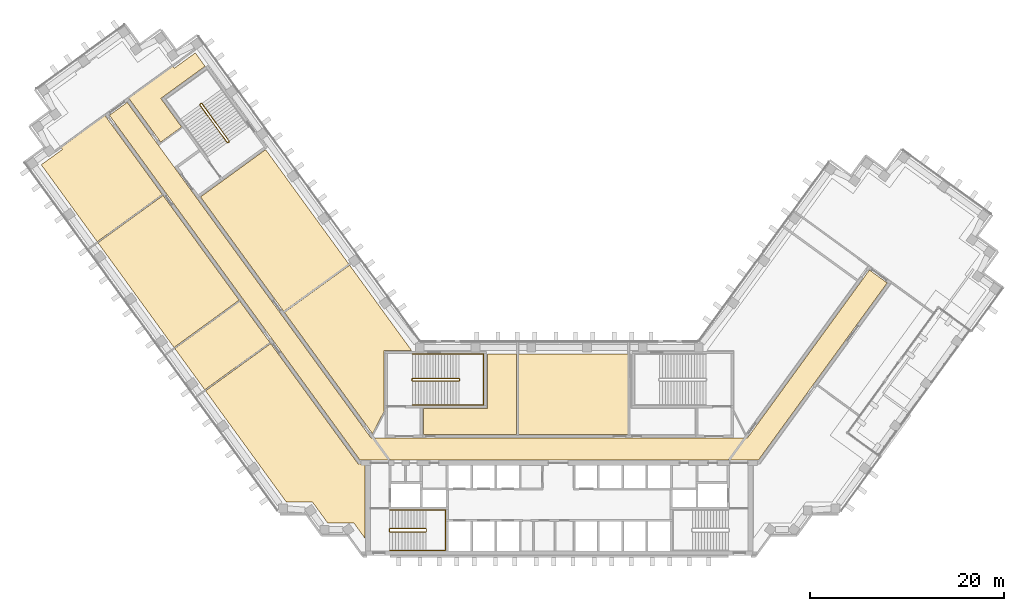
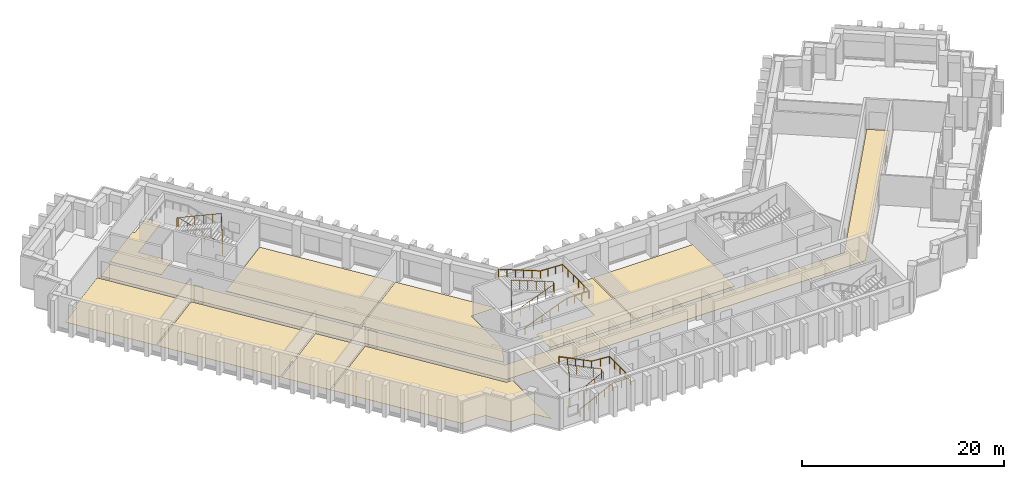
# One storey, part 13 of 15: 10 coverings, 5 railings.
"""IFC4 building model written with IfcOpenShell, lengths in metres."""

from ifc_helpers import new_model, si_unit, direction, frame, origin, origin_2d, place, context, subcontext, project, spatial, polyline, circle, outline, extrude, material, layer, layer_set, type_object, element, save


model = new_model("IFC4")

# Units and contexts
model_context = context("Model", 3, precision=1e-05, world=origin(), true_north=direction((0.0, 1.0)))
body_context = subcontext(model_context, "Body", "Model", "MODEL_VIEW")
ifc_project = project(units=[si_unit("LENGTHUNIT", "METRE"), si_unit("AREAUNIT", "SQUARE_METRE"), si_unit("VOLUMEUNIT", "CUBIC_METRE"), si_unit("PLANEANGLEUNIT", "RADIAN"), si_unit("MASSUNIT", "GRAM", prefix="KILO")], contexts=[model_context])

# Site, building, storey
site_placement = place(None, origin())
site = spatial("IfcSite", under=ifc_project, at=site_placement, CompositionType="ELEMENT")
building_placement = place(site_placement, origin())
building = spatial("IfcBuilding", under=site, at=building_placement, Name="Quipu Civic Tower", CompositionType="ELEMENT")
storey_placement = place(building_placement, frame((0.0, 0.0, 97.0)))
storey = spatial("IfcBuildingStorey", under=building, at=storey_placement, Name="L22", CompositionType="ELEMENT", Elevation=97.0)

# Coverings
ifc_material_1 = material(Name="Carpet tile on raised access floor")
ifc_layer_1 = layer(ifc_material_1, 0.02001953125)
ifc_layer_set_1 = layer_set([ifc_layer_1], Name="Carpet tile on raised access floor")
covering_type_1 = type_object("IfcCoveringType", Name="Carpet tile floor finish 20", PredefinedType="FLOORING", material=ifc_layer_set_1)
covering_1_placement = place(storey_placement, origin())
element("IfcCovering", 1, at=covering_1_placement, inside=storey, type_object=covering_type_1, Name="Carpet tile floor finish 20", PredefinedType="FLOORING", context=body_context, shape_type="SweptSolid", body=[
    extrude(outline(polyline([(-14.030029296875, 4.179931640625), (-7.430908203125, 4.179931640625), (-7.429931640625, 9.830078125), (-4.388916015625, 9.830078125), (-4.388916015625, 1.52001953125), (-14.030029296875, 1.52001953125), (-14.030029296875, 4.179931640625)])), origin(), (0.0, 0.0, 1.0), 0.02001953125),
])
covering_2_placement = place(storey_placement, origin())
element("IfcCovering", 2, at=covering_2_placement, inside=storey, type_object=covering_type_1, Name="Carpet tile floor finish 20", PredefinedType="FLOORING", context=body_context, shape_type="SweptSolid", body=[
    extrude(outline(polyline([(-44.445068359375, 36.23193359375), (-39.906005859375, 39.530029296875), (-39.757080078125, 39.327880859375), (-37.573974609375, 40.9130859375), (-36.570068359375, 39.530029296875), (-41.139892578125, 36.208984375), (-38.998046875, 33.260009765625), (-41.15087890625, 31.697021484375), (-44.445068359375, 36.23193359375)])), origin(), (0.0, 0.0, 1.0), 0.02001953125),
])
covering_3_placement = place(storey_placement, origin())
element("IfcCovering", 3, at=covering_3_placement, inside=storey, type_object=covering_type_1, Name="Carpet tile floor finish 20", PredefinedType="FLOORING", context=body_context, shape_type="SweptSolid", body=[
    extrude(outline(polyline([(-53.47998046875, 29.35791015625), (-51.298095703125, 30.943115234375), (-51.443115234375, 31.14599609375), (-46.904052734375, 34.444091796875), (-40.988037109375, 26.301025390625), (-47.7119140625, 21.41796875), (-53.47998046875, 29.35791015625)])), origin(), (0.0, 0.0, 1.0), 0.02001953125),
])
covering_4_placement = place(storey_placement, origin())
element("IfcCovering", 4, at=covering_4_placement, inside=storey, type_object=covering_type_1, Name="Carpet tile floor finish 20", PredefinedType="FLOORING", context=body_context, shape_type="SweptSolid", body=[
    extrude(outline(polyline([(-39.694091796875, 10.383056640625), (-32.969970703125, 15.26708984375), (-29.87890625, 11.010986328125), (-36.60302734375, 6.126953125), (-39.694091796875, 10.383056640625)])), origin(), (0.0, 0.0, 1.0), 0.02001953125),
])
covering_5_placement = place(storey_placement, origin())
element("IfcCovering", 5, at=covering_5_placement, inside=storey, type_object=covering_type_1, Name="Carpet tile floor finish 20", PredefinedType="FLOORING", context=body_context, shape_type="SweptSolid", body=[
    extrude(outline(polyline([(-47.62890625, 21.304931640625), (-40.905029296875, 26.18798828125), (-33.052978515625, 15.3798828125), (-39.777099609375, 10.49609375), (-47.62890625, 21.304931640625)])), origin(), (0.0, 0.0, 1.0), 0.02001953125),
])
covering_6_placement = place(storey_placement, origin())
element("IfcCovering", 6, at=covering_6_placement, inside=storey, type_object=covering_type_1, Name="Carpet tile floor finish 20", PredefinedType="FLOORING", context=body_context, shape_type="SweptSolid", body=[
    extrude(outline(polyline([(-36.52001953125, 6.013916015625), (-29.7958984375, 10.89794921875), (-20.77490234375, -1.51904296875), (-20.070068359375, -1.52001953125), (-20.070068359375, -9.195068359375), (-21.196044921875, -7.64599609375), (-21.6630859375, -7.64599609375), (-21.666015625, -7.64404296875), (-21.669921875, -7.64111328125), (-21.675048828125, -7.639892578125), (-21.679931640625, -7.637939453125), (-21.68408203125, -7.636962890625), (-21.68896484375, -7.636962890625), (-21.694091796875, -7.635986328125), (-21.698974609375, -7.636962890625), (-21.7041015625, -7.637939453125), (-21.708984375, -7.638916015625), (-21.712890625, -7.64111328125), (-21.718017578125, -7.64306640625), (-21.721923828125, -7.64599609375), (-21.721923828125, -7.64599609375), (-23.89501953125, -7.64599609375), (-25.48193359375, -5.4619140625), (-28.181884765625, -5.4609375), (-36.52001953125, 6.013916015625)])), origin(), (0.0, 0.0, 1.0), 0.02001953125),
])
covering_7_placement = place(storey_placement, origin())
element("IfcCovering", 7, at=covering_7_placement, inside=storey, type_object=covering_type_1, Name="Carpet tile floor finish 20", PredefinedType="FLOORING", context=body_context, shape_type="SweptSolid", body=[
    extrude(outline(polyline([(-28.37109375, 14.10888671875), (-21.64794921875, 18.992919921875), (-15.238037109375, 10.169921875), (-18.070068359375, 10.1689453125), (-18.070068359375, 3.94189453125), (-19.27197265625, 1.583984375), (-28.37109375, 14.10888671875)])), origin(), (0.0, 0.0, 1.0), 0.02001953125),
])
ifc_material_2 = material(Name="Sealed cement screed")
ifc_layer_2 = layer(ifc_material_2, 0.050048828125)
ifc_layer_set_2 = layer_set([ifc_layer_2], Name="Sealed cement screed")
covering_type_2 = type_object("IfcCoveringType", Name="Sealed screed floor finish 50", PredefinedType="FLOORING", material=ifc_layer_set_2)
covering_8_placement = place(storey_placement, origin())
element("IfcCovering", 8, at=covering_8_placement, inside=storey, type_object=covering_type_2, Name="Sealed screed floor finish 50", PredefinedType="FLOORING", context=body_context, shape_type="SweptSolid", body=[
    extrude(outline(polyline([(-4.2490234375, 1.52001953125), (-4.2490234375, 9.830078125), (7.1279296875, 9.830078125), (7.1279296875, 1.52001953125), (-4.2490234375, 1.52001953125)])), origin(), (0.0, 0.0, 1.0), 0.050048828125),
])
covering_9_placement = place(storey_placement, origin())
element("IfcCovering", 9, at=covering_9_placement, inside=storey, type_object=covering_type_2, Name="Sealed screed floor finish 50", PredefinedType="FLOORING", context=body_context, shape_type="SweptSolid", body=[
    extrude(outline(polyline([(-37.0380859375, 26.0380859375), (-30.31494140625, 30.922119140625), (-21.73095703125, 19.10595703125), (-28.4541015625, 14.221923828125), (-37.0380859375, 26.0380859375)])), origin(), (0.0, 0.0, 1.0), 0.050048828125),
])

# Railings
ifc_material_3 = material(Name="Stainless steel", Category="steel")
railing_type_1 = type_object("IfcRailingType", Name="Stair guard 1100", PredefinedType="GUARDRAIL", material=ifc_material_3)
railing_1_placement = place(storey_placement, frame((-17.5, -8.550048828125, 0.15380859375)))
element("IfcRailing", 10, at=railing_1_placement, inside=storey, type_object=railing_type_1, Name="Stair 1 guard", PredefinedType="GUARDRAIL", context=body_context, shape_type="SweptSolid", body=[
    extrude(circle(Radius=0.02392578125, at=origin_2d()), frame((0.0, 0.0, 1.076171875), z_axis=(0.895751851347, 0.0, 0.444554407028), x_axis=(0.0, 1.0, 0.0)), (0.0, 0.0, 1.0), 4.15283203125),
    extrude(circle(Radius=0.02392578125, at=origin_2d()), frame((3.719970703125, 0.0, 2.92236328125), z_axis=(0.707106781187, 0.707106781187, 0.0), x_axis=(-0.707106781187, 0.707106781187, 0.0)), (0.0, 0.0, 1.0), 0.07080078125),
    extrude(circle(Radius=0.02392578125, at=origin_2d()), frame((3.77001953125, 0.050048828125, 2.92236328125), z_axis=(0.0, 1.0, 0.0), x_axis=(-1.0, 0.0, 0.0)), (0.0, 0.0, 1.0), 0.25),
    extrude(circle(Radius=0.02392578125, at=origin_2d()), frame((3.77001953125, 0.300048828125, 2.92236328125), z_axis=(-0.295599637079, 0.295599637079, 0.908428152975), x_axis=(-0.707106781187, -0.707106781187, 0.0)), (0.0, 0.0, 1.0), 0.16943359375),
    extrude(circle(Radius=0.02392578125, at=origin_2d()), frame((3.719970703125, 0.35009765625, 3.076171875), z_axis=(-0.895751851347, 0.0, 0.444554407028), x_axis=(0.0, -1.0, 0.0)), (0.0, 0.0, 1.0), 4.15283203125),
    extrude(circle(Radius=0.02392578125, at=origin_2d()), frame((0.0, 0.35009765625, 4.92236328125), z_axis=(-0.012476181752, -0.074796231092, -0.997120789425), x_axis=(0.986372223864, -0.164529134168, 0.0)), (0.0, 0.0, 1.0), 4.011474609375),
    extrude(circle(Radius=0.02392578125, at=origin_2d()), frame((-0.050048828125, 0.050048828125, 0.92236328125), z_axis=(0.0, 1.0, 0.0), x_axis=(-1.0, 0.0, 0.0)), (0.0, 0.0, 1.0), 0.25),
    extrude(circle(Radius=0.02099609375, at=origin_2d()), origin(), (0.0, 0.0, 1.0), 1.052001953125),
    extrude(circle(Radius=0.02099609375, at=origin_2d()), frame((0.929931640625, 0.0, 0.46142578125)), (0.0, 0.0, 1.0), 1.052001953125),
    extrude(circle(Radius=0.02099609375, at=origin_2d()), frame((1.85986328125, 0.0, 0.923095703125)), (0.0, 0.0, 1.0), 1.052001953125),
    extrude(circle(Radius=0.02099609375, at=origin_2d()), frame((2.7900390625, 0.0, 1.384765625)), (0.0, 0.0, 1.0), 1.052001953125),
    extrude(circle(Radius=0.02099609375, at=origin_2d()), frame((3.719970703125, 0.0, 1.84619140625)), (0.0, 0.0, 1.0), 1.052001953125),
    extrude(circle(Radius=0.02099609375, at=origin_2d()), frame((3.77001953125, 0.050048828125, 1.84619140625)), (0.0, 0.0, 1.0), 1.052001953125),
    extrude(circle(Radius=0.02099609375, at=origin_2d()), frame((3.77001953125, 0.300048828125, 1.84619140625)), (0.0, 0.0, 1.0), 1.052001953125),
    extrude(circle(Radius=0.02099609375, at=origin_2d()), frame((3.719970703125, 0.35009765625, 2.0)), (0.0, 0.0, 1.0), 1.052001953125),
    extrude(circle(Radius=0.02099609375, at=origin_2d()), frame((2.7900390625, 0.35009765625, 2.46142578125)), (0.0, 0.0, 1.0), 1.052001953125),
    extrude(circle(Radius=0.02099609375, at=origin_2d()), frame((1.85986328125, 0.35009765625, 2.923095703125)), (0.0, 0.0, 1.0), 1.052001953125),
    extrude(circle(Radius=0.02099609375, at=origin_2d()), frame((0.929931640625, 0.35009765625, 3.384765625)), (0.0, 0.0, 1.0), 1.052001953125),
    extrude(circle(Radius=0.02099609375, at=origin_2d()), frame((0.0, 0.35009765625, 3.84619140625)), (0.0, 0.0, 1.0), 1.052001953125),
    extrude(circle(Radius=0.02099609375, at=origin_2d()), frame((-0.012451171875, 0.275146484375, 2.84619140625)), (0.0, 0.0, 1.0), 1.052001953125),
    extrude(circle(Radius=0.02099609375, at=origin_2d()), frame((-0.02490234375, 0.2001953125, 1.84619140625)), (0.0, 0.0, 1.0), 1.052001953125),
    extrude(circle(Radius=0.02099609375, at=origin_2d()), frame((-0.03759765625, 0.125, 0.84619140625)), (0.0, 0.0, 1.0), 1.052001953125),
    extrude(circle(Radius=0.02099609375, at=origin_2d()), frame((-0.050048828125, 0.050048828125, -0.15380859375)), (0.0, 0.0, 1.0), 1.052001953125),
    extrude(circle(Radius=0.02099609375, at=origin_2d()), frame((-0.050048828125, 0.300048828125, -0.15380859375)), (0.0, 0.0, 1.0), 1.052001953125),
])
railing_2_placement = place(storey_placement, frame((-15.14990234375, 7.050048828125, 0.11767578125)))
element("IfcRailing", 11, at=railing_2_placement, inside=storey, type_object=railing_type_1, Name="Stair 3 guard", PredefinedType="GUARDRAIL", context=body_context, shape_type="SweptSolid", body=[
    extrude(circle(Radius=0.02392578125, at=origin_2d()), frame((0.0, 0.0, 1.076171875), z_axis=(0.930970042603, 0.0, 0.365095576219), x_axis=(0.0, 1.0, 0.0)), (0.0, 0.0, 1.0), 5.15576171875),
    extrude(circle(Radius=0.02392578125, at=origin_2d()), frame((4.7998046875, 0.0, 2.95849609375), z_axis=(0.707106781187, 0.707106781187, 0.0), x_axis=(-0.707106781187, 0.707106781187, 0.0)), (0.0, 0.0, 1.0), 0.07080078125),
    extrude(circle(Radius=0.02392578125, at=origin_2d()), frame((4.849853515625, 0.050048828125, 2.95849609375), z_axis=(0.0, 1.0, 0.0), x_axis=(-1.0, 0.0, 0.0)), (0.0, 0.0, 1.0), 0.14990234375),
    extrude(circle(Radius=0.02392578125, at=origin_2d()), frame((4.849853515625, 0.199951171875, 2.95849609375), z_axis=(-0.364463019033, 0.364463019033, 0.856932561824), x_axis=(-0.707106781187, -0.707106781187, 0.0)), (0.0, 0.0, 1.0), 0.13720703125),
    extrude(circle(Radius=0.02392578125, at=origin_2d()), frame((4.7998046875, 0.25, 3.076171875), z_axis=(-0.930970042603, 0.0, 0.365095576219), x_axis=(0.0, -1.0, 0.0)), (0.0, 0.0, 1.0), 5.15576171875),
    extrude(circle(Radius=0.02392578125, at=origin_2d()), frame((0.0, 0.25, 4.95849609375), z_axis=(-0.012495627992, -0.049921557685, -0.998674970829), x_axis=(0.970072785993, -0.242814311512, 0.0)), (0.0, 0.0, 1.0), 4.00537109375),
    extrude(circle(Radius=0.02392578125, at=origin_2d()), frame((-0.050048828125, 0.050048828125, 0.95849609375), z_axis=(0.0, 1.0, 0.0), x_axis=(-1.0, 0.0, 0.0)), (0.0, 0.0, 1.0), 0.14990234375),
    extrude(circle(Radius=0.02099609375, at=origin_2d()), origin(), (0.0, 0.0, 1.0), 1.052001953125),
    extrude(circle(Radius=0.02099609375, at=origin_2d()), frame((0.9599609375, 0.0, 0.37646484375)), (0.0, 0.0, 1.0), 1.052001953125),
    extrude(circle(Radius=0.02099609375, at=origin_2d()), frame((1.919921875, 0.0, 0.7529296875)), (0.0, 0.0, 1.0), 1.052001953125),
    extrude(circle(Radius=0.02099609375, at=origin_2d()), frame((2.8798828125, 0.0, 1.12939453125)), (0.0, 0.0, 1.0), 1.052001953125),
    extrude(circle(Radius=0.02099609375, at=origin_2d()), frame((3.83984375, 0.0, 1.505859375)), (0.0, 0.0, 1.0), 1.052001953125),
    extrude(circle(Radius=0.02099609375, at=origin_2d()), frame((4.7998046875, 0.0, 1.88232421875)), (0.0, 0.0, 1.0), 1.052001953125),
    extrude(circle(Radius=0.02099609375, at=origin_2d()), frame((4.849853515625, 0.050048828125, 1.88232421875)), (0.0, 0.0, 1.0), 1.052001953125),
    extrude(circle(Radius=0.02099609375, at=origin_2d()), frame((4.849853515625, 0.199951171875, 1.88232421875)), (0.0, 0.0, 1.0), 1.052001953125),
    extrude(circle(Radius=0.02099609375, at=origin_2d()), frame((4.7998046875, 0.25, 2.0)), (0.0, 0.0, 1.0), 1.052001953125),
    extrude(circle(Radius=0.02099609375, at=origin_2d()), frame((3.83984375, 0.25, 2.37646484375)), (0.0, 0.0, 1.0), 1.052001953125),
    extrude(circle(Radius=0.02099609375, at=origin_2d()), frame((2.8798828125, 0.25, 2.7529296875)), (0.0, 0.0, 1.0), 1.052001953125),
    extrude(circle(Radius=0.02099609375, at=origin_2d()), frame((1.919921875, 0.25, 3.12939453125)), (0.0, 0.0, 1.0), 1.052001953125),
    extrude(circle(Radius=0.02099609375, at=origin_2d()), frame((0.9599609375, 0.25, 3.505859375)), (0.0, 0.0, 1.0), 1.052001953125),
    extrude(circle(Radius=0.02099609375, at=origin_2d()), frame((0.0, 0.25, 3.88232421875)), (0.0, 0.0, 1.0), 1.052001953125),
    extrude(circle(Radius=0.02099609375, at=origin_2d()), frame((-0.012451171875, 0.199951171875, 2.88232421875)), (0.0, 0.0, 1.0), 1.052001953125),
    extrude(circle(Radius=0.02099609375, at=origin_2d()), frame((-0.02490234375, 0.14990234375, 1.88232421875)), (0.0, 0.0, 1.0), 1.052001953125),
    extrude(circle(Radius=0.02099609375, at=origin_2d()), frame((-0.03759765625, 0.10009765625, 0.88232421875)), (0.0, 0.0, 1.0), 1.052001953125),
    extrude(circle(Radius=0.02099609375, at=origin_2d()), frame((-0.050048828125, 0.050048828125, -0.11767578125)), (0.0, 0.0, 1.0), 1.052001953125),
    extrude(circle(Radius=0.02099609375, at=origin_2d()), frame((-0.050048828125, 0.199951171875, -0.11767578125)), (0.0, 0.0, 1.0), 1.052001953125),
])
railing_3_placement = place(storey_placement, frame((-34.078857421875, 31.79736328125, 0.11767578125)))
element("IfcRailing", 12, at=railing_3_placement, inside=storey, type_object=railing_type_1, Name="Stair 6 guard", PredefinedType="GUARDRAIL", context=body_context, shape_type="SweptSolid", body=[
    extrude(circle(Radius=0.02392578125, at=origin_2d()), frame((0.0, 0.0, 1.076171875), z_axis=(-0.54720100349, 0.753182689643, 0.365084781664), x_axis=(-0.809026317077, -0.587772420479, 0.0)), (0.0, 0.0, 1.0), 5.15576171875),
    extrude(circle(Radius=0.02392578125, at=origin_2d()), frame((-2.8212890625, 3.88330078125, 2.95849609375), z_axis=(-0.987846838465, 0.155430446612, 0.0), x_axis=(-0.155430446612, -0.987846838465, 0.0)), (0.0, 0.0, 1.0), 0.07080078125),
    extrude(circle(Radius=0.02392578125, at=origin_2d()), frame((-2.89111328125, 3.894287109375, 2.95849609375), z_axis=(-0.809649071907, -0.586914287065, 0.0), x_axis=(0.586914287065, -0.809649071907, 0.0)), (0.0, 0.0, 1.0), 0.150146484375),
    extrude(circle(Radius=0.02392578125, at=origin_2d()), frame((-3.0126953125, 3.80615234375, 2.95849609375), z_axis=(-0.080033047627, -0.508654480474, 0.857242865693), x_axis=(0.987846838465, -0.155430446612, 0.0)), (0.0, 0.0, 1.0), 0.13720703125),
    extrude(circle(Radius=0.02392578125, at=origin_2d()), frame((-3.023681640625, 3.736328125, 3.076171875), z_axis=(0.54720100349, -0.753182689643, 0.365084781664), x_axis=(0.809026317077, 0.587772420479, 0.0)), (0.0, 0.0, 1.0), 5.15576171875),
    extrude(circle(Radius=0.02392578125, at=origin_2d()), frame((-0.202392578125, -0.14697265625, 4.95849609375), z_axis=(0.047788004556, 0.019261491632, -0.998671768681), x_axis=(-0.373837031195, 0.92749440651, 0.0)), (0.0, 0.0, 1.0), 4.00537109375),
    extrude(circle(Radius=0.02392578125, at=origin_2d()), frame((-0.010986328125, -0.06982421875, 0.95849609375), z_axis=(-0.809087927272, -0.587687609145, 0.0), x_axis=(0.587687609145, -0.809087927272, 0.0)), (0.0, 0.0, 1.0), 0.14990234375),
    extrude(circle(Radius=0.02099609375, at=origin_2d()), origin(), (0.0, 0.0, 1.0), 1.052001953125),
    extrude(circle(Radius=0.02099609375, at=origin_2d()), frame((-0.564208984375, 0.776611328125, 0.37646484375)), (0.0, 0.0, 1.0), 1.052001953125),
    extrude(circle(Radius=0.02099609375, at=origin_2d()), frame((-1.12841796875, 1.55322265625, 0.7529296875)), (0.0, 0.0, 1.0), 1.052001953125),
    extrude(circle(Radius=0.02099609375, at=origin_2d()), frame((-1.69287109375, 2.330078125, 1.12939453125)), (0.0, 0.0, 1.0), 1.052001953125),
    extrude(circle(Radius=0.02099609375, at=origin_2d()), frame((-2.257080078125, 3.106689453125, 1.505859375)), (0.0, 0.0, 1.0), 1.052001953125),
    extrude(circle(Radius=0.02099609375, at=origin_2d()), frame((-2.8212890625, 3.88330078125, 1.88232421875)), (0.0, 0.0, 1.0), 1.052001953125),
    extrude(circle(Radius=0.02099609375, at=origin_2d()), frame((-2.89111328125, 3.894287109375, 1.88232421875)), (0.0, 0.0, 1.0), 1.052001953125),
    extrude(circle(Radius=0.02099609375, at=origin_2d()), frame((-3.0126953125, 3.80615234375, 1.88232421875)), (0.0, 0.0, 1.0), 1.052001953125),
    extrude(circle(Radius=0.02099609375, at=origin_2d()), frame((-3.023681640625, 3.736328125, 2.0)), (0.0, 0.0, 1.0), 1.052001953125),
    extrude(circle(Radius=0.02099609375, at=origin_2d()), frame((-2.45947265625, 2.959716796875, 2.37646484375)), (0.0, 0.0, 1.0), 1.052001953125),
    extrude(circle(Radius=0.02099609375, at=origin_2d()), frame((-1.895263671875, 2.18310546875, 2.7529296875)), (0.0, 0.0, 1.0), 1.052001953125),
    extrude(circle(Radius=0.02099609375, at=origin_2d()), frame((-1.330810546875, 1.40625, 3.12939453125)), (0.0, 0.0, 1.0), 1.052001953125),
    extrude(circle(Radius=0.02099609375, at=origin_2d()), frame((-0.7666015625, 0.629638671875, 3.505859375)), (0.0, 0.0, 1.0), 1.052001953125),
    extrude(circle(Radius=0.02099609375, at=origin_2d()), frame((-0.202392578125, -0.14697265625, 3.88232421875)), (0.0, 0.0, 1.0), 1.052001953125),
    extrude(circle(Radius=0.02099609375, at=origin_2d()), frame((-0.154541015625, -0.127685546875, 2.88232421875)), (0.0, 0.0, 1.0), 1.052001953125),
    extrude(circle(Radius=0.02099609375, at=origin_2d()), frame((-0.106689453125, -0.1083984375, 1.88232421875)), (0.0, 0.0, 1.0), 1.052001953125),
    extrude(circle(Radius=0.02099609375, at=origin_2d()), frame((-0.058837890625, -0.089111328125, 0.88232421875)), (0.0, 0.0, 1.0), 1.052001953125),
    extrude(circle(Radius=0.02099609375, at=origin_2d()), frame((-0.010986328125, -0.06982421875, -0.11767578125)), (0.0, 0.0, 1.0), 1.052001953125),
    extrude(circle(Radius=0.02099609375, at=origin_2d()), frame((-0.13232421875, -0.157958984375, -0.11767578125)), (0.0, 0.0, 1.0), 1.052001953125),
])
ifc_material_4 = material(Name="Stainless steel", Category="steel")
railing_type_2 = type_object("IfcRailingType", Name="Stair handrail", PredefinedType="HANDRAIL", material=ifc_material_4)
railing_4_placement = place(storey_placement, frame((-17.5, -10.449951171875, 0.15380859375)))
element("IfcRailing", 13, at=railing_4_placement, inside=storey, type_object=railing_type_2, Name="Stair 1 handrail", PredefinedType="HANDRAIL", context=body_context, shape_type="SweptSolid", body=[
    extrude(circle(Radius=0.02392578125, at=origin_2d()), frame((0.0, 0.0, 0.8759765625), z_axis=(0.895751851347, 0.0, 0.444554407028), x_axis=(0.0, 1.0, 0.0)), (0.0, 0.0, 1.0), 4.15283203125),
    extrude(circle(Radius=0.02392578125, at=origin_2d()), frame((3.719970703125, 0.0, 2.72216796875), z_axis=(1.0, 0.0, 0.0), x_axis=(0.0, 1.0, 0.0)), (0.0, 0.0, 1.0), 2.030029296875),
    extrude(circle(Radius=0.02392578125, at=origin_2d()), frame((5.75, 0.0, 2.72216796875), z_axis=(0.0, 1.0, 0.0), x_axis=(-1.0, 0.0, 0.0)), (0.0, 0.0, 1.0), 4.14990234375),
    extrude(circle(Radius=0.02392578125, at=origin_2d()), frame((5.75, 4.14990234375, 2.72216796875), z_axis=(-0.997142003663, 0.0, 0.075550145798), x_axis=(0.0, -1.0, 0.0)), (0.0, 0.0, 1.0), 2.035888671875),
    extrude(circle(Radius=0.02392578125, at=origin_2d()), frame((3.719970703125, 4.14990234375, 2.8759765625), z_axis=(-0.895751851347, 0.0, 0.444554407028), x_axis=(0.0, -1.0, 0.0)), (0.0, 0.0, 1.0), 4.15283203125),
    extrude(circle(Radius=0.02099609375, at=origin_2d()), origin(), (0.0, 0.0, 1.0), 0.851806640625),
    extrude(circle(Radius=0.02099609375, at=origin_2d()), frame((0.929931640625, 0.0, 0.46142578125)), (0.0, 0.0, 1.0), 0.851806640625),
    extrude(circle(Radius=0.02099609375, at=origin_2d()), frame((1.85986328125, 0.0, 0.923095703125)), (0.0, 0.0, 1.0), 0.851806640625),
    extrude(circle(Radius=0.02099609375, at=origin_2d()), frame((2.7900390625, 0.0, 1.384765625)), (0.0, 0.0, 1.0), 0.851806640625),
    extrude(circle(Radius=0.02099609375, at=origin_2d()), frame((3.719970703125, 0.0, 1.84619140625)), (0.0, 0.0, 1.0), 0.851806640625),
    extrude(circle(Radius=0.02099609375, at=origin_2d()), frame((4.73486328125, 0.0, 1.84619140625)), (0.0, 0.0, 1.0), 0.851806640625),
    extrude(circle(Radius=0.02099609375, at=origin_2d()), frame((5.75, 0.0, 1.84619140625)), (0.0, 0.0, 1.0), 0.851806640625),
    extrude(circle(Radius=0.02099609375, at=origin_2d()), frame((5.75, 1.03759765625, 1.84619140625)), (0.0, 0.0, 1.0), 0.851806640625),
    extrude(circle(Radius=0.02099609375, at=origin_2d()), frame((5.75, 2.074951171875, 1.84619140625)), (0.0, 0.0, 1.0), 0.851806640625),
    extrude(circle(Radius=0.02099609375, at=origin_2d()), frame((5.75, 3.1123046875, 1.84619140625)), (0.0, 0.0, 1.0), 0.851806640625),
    extrude(circle(Radius=0.02099609375, at=origin_2d()), frame((5.75, 4.14990234375, 1.84619140625)), (0.0, 0.0, 1.0), 0.851806640625),
    extrude(circle(Radius=0.02099609375, at=origin_2d()), frame((4.73486328125, 4.14990234375, 1.923095703125)), (0.0, 0.0, 1.0), 0.851806640625),
    extrude(circle(Radius=0.02099609375, at=origin_2d()), frame((3.719970703125, 4.14990234375, 2.0)), (0.0, 0.0, 1.0), 0.851806640625),
    extrude(circle(Radius=0.02099609375, at=origin_2d()), frame((2.7900390625, 4.14990234375, 2.46142578125)), (0.0, 0.0, 1.0), 0.851806640625),
    extrude(circle(Radius=0.02099609375, at=origin_2d()), frame((1.85986328125, 4.14990234375, 2.923095703125)), (0.0, 0.0, 1.0), 0.851806640625),
    extrude(circle(Radius=0.02099609375, at=origin_2d()), frame((0.929931640625, 4.14990234375, 3.384765625)), (0.0, 0.0, 1.0), 0.851806640625),
    extrude(circle(Radius=0.02099609375, at=origin_2d()), frame((0.0, 4.14990234375, 3.84619140625)), (0.0, 0.0, 1.0), 0.851806640625),
])
railing_5_placement = place(storey_placement, frame((-15.14990234375, 4.550048828125, 0.11767578125)))
element("IfcRailing", 14, at=railing_5_placement, inside=storey, type_object=railing_type_2, Name="Stair 3 handrail", PredefinedType="HANDRAIL", context=body_context, shape_type="SweptSolid", body=[
    extrude(circle(Radius=0.02392578125, at=origin_2d()), frame((0.0, 0.0, 0.8759765625), z_axis=(0.930970042603, 0.0, 0.365095576219), x_axis=(0.0, 1.0, 0.0)), (0.0, 0.0, 1.0), 5.15576171875),
    extrude(circle(Radius=0.02392578125, at=origin_2d()), frame((4.7998046875, 0.0, 2.75830078125), z_axis=(1.0, 0.0, 0.0), x_axis=(0.0, 1.0, 0.0)), (0.0, 0.0, 1.0), 2.550048828125),
    extrude(circle(Radius=0.02392578125, at=origin_2d()), frame((7.349853515625, 0.0, 2.75830078125), z_axis=(0.0, 1.0, 0.0), x_axis=(-1.0, 0.0, 0.0)), (0.0, 0.0, 1.0), 5.25),
    extrude(circle(Radius=0.02392578125, at=origin_2d()), frame((7.349853515625, 5.25, 2.75830078125), z_axis=(-0.998936948642, 0.0, 0.04609742549), x_axis=(0.0, -1.0, 0.0)), (0.0, 0.0, 1.0), 2.552734375),
    extrude(circle(Radius=0.02392578125, at=origin_2d()), frame((4.7998046875, 5.25, 2.8759765625), z_axis=(-0.930970042603, 0.0, 0.365095576219), x_axis=(0.0, -1.0, 0.0)), (0.0, 0.0, 1.0), 5.15576171875),
    extrude(circle(Radius=0.02099609375, at=origin_2d()), origin(), (0.0, 0.0, 1.0), 0.851806640625),
    extrude(circle(Radius=0.02099609375, at=origin_2d()), frame((0.9599609375, 0.0, 0.37646484375)), (0.0, 0.0, 1.0), 0.851806640625),
    extrude(circle(Radius=0.02099609375, at=origin_2d()), frame((1.919921875, 0.0, 0.7529296875)), (0.0, 0.0, 1.0), 0.851806640625),
    extrude(circle(Radius=0.02099609375, at=origin_2d()), frame((2.8798828125, 0.0, 1.12939453125)), (0.0, 0.0, 1.0), 0.851806640625),
    extrude(circle(Radius=0.02099609375, at=origin_2d()), frame((3.83984375, 0.0, 1.505859375)), (0.0, 0.0, 1.0), 0.851806640625),
    extrude(circle(Radius=0.02099609375, at=origin_2d()), frame((4.7998046875, 0.0, 1.88232421875)), (0.0, 0.0, 1.0), 0.851806640625),
    extrude(circle(Radius=0.02099609375, at=origin_2d()), frame((5.64990234375, 0.0, 1.88232421875)), (0.0, 0.0, 1.0), 0.851806640625),
    extrude(circle(Radius=0.02099609375, at=origin_2d()), frame((6.499755859375, 0.0, 1.88232421875)), (0.0, 0.0, 1.0), 0.851806640625),
    extrude(circle(Radius=0.02099609375, at=origin_2d()), frame((7.349853515625, 0.0, 1.88232421875)), (0.0, 0.0, 1.0), 0.851806640625),
    extrude(circle(Radius=0.02099609375, at=origin_2d()), frame((7.349853515625, 1.050048828125, 1.88232421875)), (0.0, 0.0, 1.0), 0.851806640625),
    extrude(circle(Radius=0.02099609375, at=origin_2d()), frame((7.349853515625, 2.10009765625, 1.88232421875)), (0.0, 0.0, 1.0), 0.851806640625),
    extrude(circle(Radius=0.02099609375, at=origin_2d()), frame((7.349853515625, 3.14990234375, 1.88232421875)), (0.0, 0.0, 1.0), 0.851806640625),
    extrude(circle(Radius=0.02099609375, at=origin_2d()), frame((7.349853515625, 4.199951171875, 1.88232421875)), (0.0, 0.0, 1.0), 0.851806640625),
    extrude(circle(Radius=0.02099609375, at=origin_2d()), frame((7.349853515625, 5.25, 1.88232421875)), (0.0, 0.0, 1.0), 0.851806640625),
    extrude(circle(Radius=0.02099609375, at=origin_2d()), frame((6.499755859375, 5.25, 1.921630859375)), (0.0, 0.0, 1.0), 0.851806640625),
    extrude(circle(Radius=0.02099609375, at=origin_2d()), frame((5.64990234375, 5.25, 1.960693359375)), (0.0, 0.0, 1.0), 0.851806640625),
    extrude(circle(Radius=0.02099609375, at=origin_2d()), frame((4.7998046875, 5.25, 2.0)), (0.0, 0.0, 1.0), 0.851806640625),
    extrude(circle(Radius=0.02099609375, at=origin_2d()), frame((3.83984375, 5.25, 2.37646484375)), (0.0, 0.0, 1.0), 0.851806640625),
    extrude(circle(Radius=0.02099609375, at=origin_2d()), frame((2.8798828125, 5.25, 2.7529296875)), (0.0, 0.0, 1.0), 0.851806640625),
    extrude(circle(Radius=0.02099609375, at=origin_2d()), frame((1.919921875, 5.25, 3.12939453125)), (0.0, 0.0, 1.0), 0.851806640625),
    extrude(circle(Radius=0.02099609375, at=origin_2d()), frame((0.9599609375, 5.25, 3.505859375)), (0.0, 0.0, 1.0), 0.851806640625),
    extrude(circle(Radius=0.02099609375, at=origin_2d()), frame((0.0, 5.25, 3.88232421875)), (0.0, 0.0, 1.0), 0.851806640625),
])

# Covering
ifc_material_5 = material(Name="Terrazzo floor finish")
ifc_layer_3 = layer(ifc_material_5, 0.0400390625)
ifc_layer_set_3 = layer_set([ifc_layer_3], Name="Terrazzo floor finish")
covering_type_3 = type_object("IfcCoveringType", Name="Terrazzo floor finish 40", PredefinedType="FLOORING", material=ifc_layer_set_3)
covering_10_placement = place(storey_placement, origin())
element("IfcCovering", 15, at=covering_10_placement, inside=storey, type_object=covering_type_3, Name="Terrazzo floor finish 40", PredefinedType="FLOORING", context=body_context, shape_type="SweptSolid", body=[
    extrude(outline(polyline([(20.574951171875, -1.1298828125), (-20.574951171875, -1.1298828125), (-46.44091796875, 34.471923828125), (-44.613037109375, 35.800048828125), (-19.425048828125, 1.1298828125), (19.425048828125, 1.1298828125), (32.033935546875, 18.487060546875), (33.863037109375, 17.158935546875), (20.574951171875, -1.1298828125)])), origin(), (0.0, 0.0, 1.0), 0.0400390625),
])

save(model, "model.ifc")
